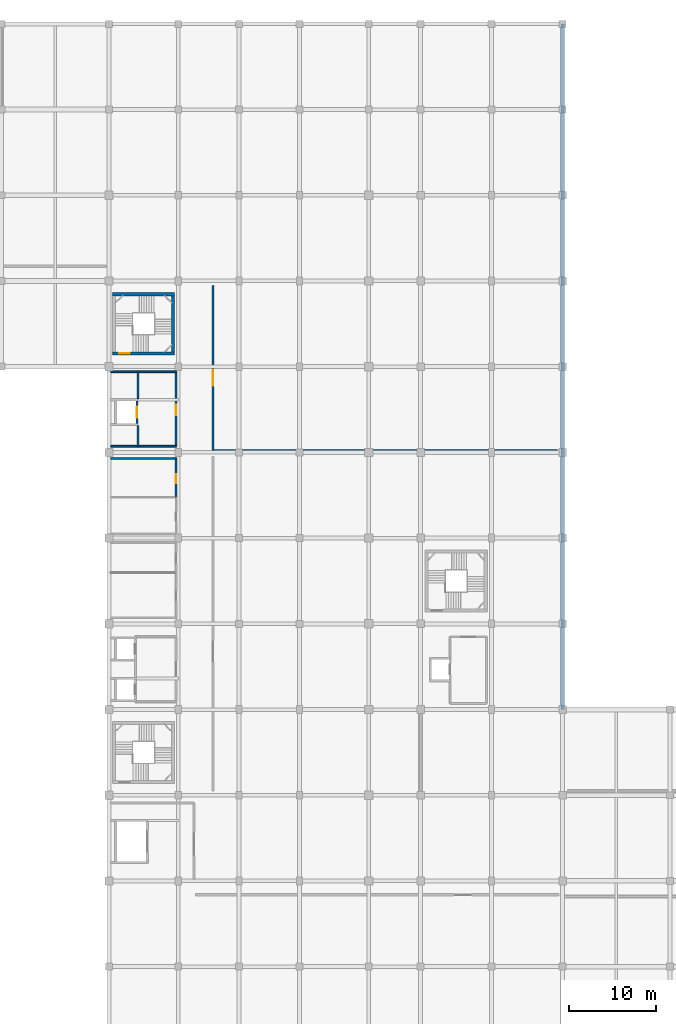
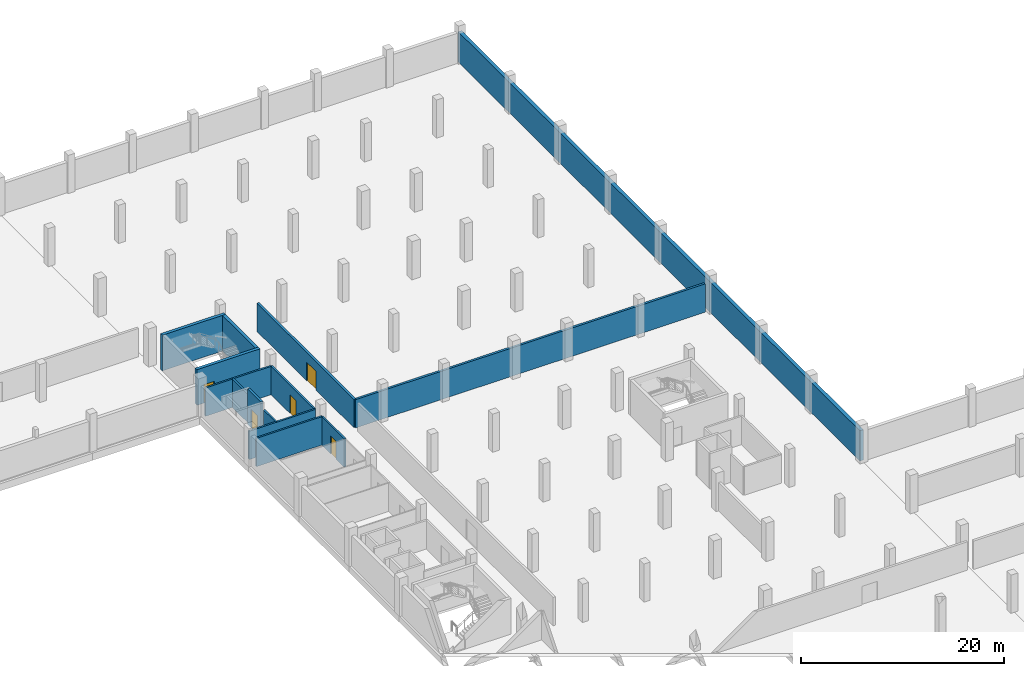
# One storey, part 14 of 32: 14 walls, 5 doors, 5 openings.
"""IFC4 building model written with IfcOpenShell, lengths in metres."""

from ifc_helpers import new_model, si_unit, direction, frame, frame_2d, origin, place, context, subcontext, project, spatial, rectangle, extrude, material, layer, layer_set, type_object, element, fill, save


model = new_model("IFC4")

# Units and contexts
model_context = context("Model", 3, precision=1e-05, world=origin(), true_north=direction((0.0, 1.0)))
body_context = subcontext(model_context, "Body", "Model", "MODEL_VIEW")
ifc_project = project(units=[si_unit("LENGTHUNIT", "METRE"), si_unit("AREAUNIT", "SQUARE_METRE"), si_unit("VOLUMEUNIT", "CUBIC_METRE"), si_unit("PLANEANGLEUNIT", "RADIAN"), si_unit("MASSUNIT", "GRAM", prefix="KILO")], contexts=[model_context])

# Site, building, storey
site_placement = place(None, origin())
site = spatial("IfcSite", under=ifc_project, at=site_placement, CompositionType="ELEMENT")
building_placement = place(site_placement, origin())
building = spatial("IfcBuilding", under=site, at=building_placement, Name="Sillaruma Civic Art Gallery", CompositionType="ELEMENT")
storey_placement = place(building_placement, frame((0.0, 0.0, -4.590087890625)))
storey = spatial("IfcBuildingStorey", under=building, at=storey_placement, Name="B01", CompositionType="ELEMENT", Elevation=-4.590087890625)

# Wall, opening, door
ifc_material_1 = material(Name="Concrete H40 (40 MPa)", Category="concrete")
ifc_layer_1 = layer(ifc_material_1, 0.35009765625, Name="Concrete H40 (40 MPa)")
ifc_layer_set_1 = layer_set([ifc_layer_1], Name="Concrete H40 (40 MPa)")
wall_type_1 = type_object("IfcWallType", Name="WAL-CORE-350", PredefinedType="SHEAR", material=ifc_layer_set_1)
wall_1_placement = place(storey_placement, frame((62.409912109375, 80.735107421875, 0.0), z_axis=(0.0, 0.0, 1.0), x_axis=(1.0, 0.0, 0.0)))
wall_1 = element("IfcWall", 1, at=wall_1_placement, inside=storey, type_object=wall_type_1, Name="Stair Core Shear Wall W-CORE-350 (ST-02:B01:S)", PredefinedType="SHEAR", context=body_context, shape_type="SweptSolid", body=[
    extrude(rectangle(XDim=7.18017578125, YDim=0.35009765625, at=frame_2d((3.590087890625, 0.0))), origin(), (0.0, 0.0, 1.0), 4.2900390625),
])
opening_1_placement = place(wall_1_placement, frame((0.77001953125, 0.0, 0.0)))
opening_1 = element("IfcOpeningElement", 2, at=opening_1_placement, cuts=wall_1, Name="Opening D-STAIR", PredefinedType="OPENING", context=body_context, shape_type="SweptSolid", body=[
    extrude(rectangle(XDim=1.199951171875, YDim=2.199951171875, at=frame_2d((0.60009765625, 1.10009765625))), frame((0.0, 0.18505859375, 0.0), z_axis=(0.0, -1.0, 0.0), x_axis=(1.0, 0.0, 0.0)), (0.0, 0.0, 1.0), 0.3701171875),
])
ifc_material_2 = material(Name="Galvanised Steel ASTM A653 Gr.50", Category="steel")
door_type_1 = type_object("IfcDoorType", Name="DOR-STAIR-120", OperationType="NOTDEFINED", PredefinedType="DOOR", material=ifc_material_2)
door_1_placement = place(opening_1_placement, origin())
door_1 = element("IfcDoor", 3, at=door_1_placement, inside=storey, type_object=door_type_1, Name="Protected Stair Fire Door (ST-02:B01)", OperationType="SINGLE_SWING_LEFT", OverallHeight=2.199951171875, OverallWidth=1.199951171875, PredefinedType="DOOR", context=body_context, shape_type="SweptSolid", body=[
    extrude(rectangle(XDim=1.199951171875, YDim=2.199951171875, at=frame_2d((0.60009765625, 1.10009765625))), frame((0.0, 0.02490234375, 0.0), z_axis=(0.0, -1.0, 0.0), x_axis=(1.0, 0.0, 0.0)), (0.0, 0.0, 1.0), 0.050048828125),
])
fill(opening_1, door_1)

# Walls
wall_2_placement = place(storey_placement, frame((62.409912109375, 87.56494140625, 0.0), z_axis=(0.0, 0.0, 1.0), x_axis=(1.0, 0.0, 0.0)))
element("IfcWall", 4, at=wall_2_placement, inside=storey, type_object=wall_type_1, Name="Stair Core Shear Wall W-CORE-350 (ST-02:B01:N)", PredefinedType="SHEAR", context=body_context, shape_type="SweptSolid", body=[
    extrude(rectangle(XDim=7.18017578125, YDim=0.35009765625, at=frame_2d((3.590087890625, 0.0))), origin(), (0.0, 0.0, 1.0), 4.2900390625),
])
wall_3_placement = place(storey_placement, frame((69.4150390625, 80.909912109375, 0.0), z_axis=(0.0, 0.0, 1.0), x_axis=(0.0, 1.0, 0.0)))
element("IfcWall", 5, at=wall_3_placement, inside=storey, type_object=wall_type_1, Name="Stair Core Shear Wall W-CORE-350 (ST-02:B01:E)", PredefinedType="SHEAR", context=body_context, shape_type="SweptSolid", body=[
    extrude(rectangle(XDim=6.47998046875, YDim=0.35009765625, at=frame_2d((3.239990234375, 0.0))), origin(), (0.0, 0.0, 1.0), 4.2900390625),
])
ifc_material_3 = material(Name="Concrete Masonry Unit Grade M15", Category="masonry")
ifc_layer_2 = layer(ifc_material_3, 0.199951171875, Name="Concrete Masonry Unit Grade M15")
ifc_layer_set_2 = layer_set([ifc_layer_2], Name="Concrete Masonry Unit Grade M15")
wall_type_2 = type_object("IfcWallType", Name="WAL-LOBBY-200", PredefinedType="SOLIDWALL", material=ifc_layer_set_2)
for number, where, z_axis, x_axis, name in (
    (6, (62.199951171875, 70.0, 0.0), (0.0, 0.0, 1.0), (1.0, 0.0, 0.0), "Interior Wall W-LOBBY-200 (B01-FFL)"),
    (7, (62.199951171875, 78.60009765625, 0.0), (0.0, 0.0, 1.0), (1.0, 0.0, 0.0), "Interior Wall W-LOBBY-200 (B01-FFL)"),
):
    element("IfcWall", number, at=place(storey_placement, frame(where, z_axis=z_axis, x_axis=x_axis)), inside=storey, type_object=wall_type_2, Name=name, PredefinedType="SOLIDWALL", context=body_context, shape_type="SweptSolid", body=[
        extrude(rectangle(XDim=7.550048828125, YDim=0.199951171875, at=frame_2d((3.77490234375, 0.0))), origin(), (0.0, 0.0, 1.0), 3.41015625),
    ])
wall_4_placement = place(storey_placement, frame((65.35009765625, 70.0, 0.0), z_axis=(0.0, 0.0, 1.0), x_axis=(0.0, 1.0, 0.0)))
element("IfcWall", 8, at=wall_4_placement, inside=storey, type_object=wall_type_2, Name="Interior Wall W-LOBBY-200 (B01-FFL)", PredefinedType="SOLIDWALL", context=body_context, shape_type="SweptSolid", body=[
    extrude(rectangle(XDim=2.39990234375, YDim=0.199951171875, at=frame_2d((1.199951171875, 0.0))), origin(), (0.0, 0.0, 1.0), 3.41015625),
])
wall_5_placement = place(storey_placement, frame((65.35009765625, 75.5, 0.0), z_axis=(0.0, 0.0, 1.0), x_axis=(0.0, 1.0, 0.0)))
element("IfcWall", 9, at=wall_5_placement, inside=storey, type_object=wall_type_2, Name="Interior Wall W-LOBBY-200 (B01-FFL)", PredefinedType="SOLIDWALL", context=body_context, shape_type="SweptSolid", body=[
    extrude(rectangle(XDim=3.10009765625, YDim=0.199951171875, at=frame_2d((1.550048828125, 0.0))), origin(), (0.0, 0.0, 1.0), 3.41015625),
])

# Wall, opening, door
wall_6_placement = place(storey_placement, frame((69.75, 70.0, 0.0), z_axis=(0.0, 0.0, 1.0), x_axis=(0.0, 1.0, 0.0)))
wall_6 = element("IfcWall", 10, at=wall_6_placement, inside=storey, type_object=wall_type_2, Name="Interior Wall W-LOBBY-200 (B01-FFL)", PredefinedType="SOLIDWALL", context=body_context, shape_type="SweptSolid", body=[
    extrude(rectangle(XDim=8.60009765625, YDim=0.199951171875, at=frame_2d((4.300048828125, 0.0))), origin(), (0.0, 0.0, 1.0), 3.41015625),
])
opening_2_placement = place(wall_6_placement, frame((3.60009765625, 0.0, 0.0)))
opening_2 = element("IfcOpeningElement", 11, at=opening_2_placement, cuts=wall_6, Name="Opening D-FFL", PredefinedType="OPENING", context=body_context, shape_type="SweptSolid", body=[
    extrude(rectangle(XDim=1.199951171875, YDim=2.25, at=frame_2d((0.60009765625, 1.125))), frame((0.0, 0.10986328125, 0.0), z_axis=(0.0, -1.0, 0.0), x_axis=(1.0, 0.0, 0.0)), (0.0, 0.0, 1.0), 0.219970703125),
])
door_type_2 = type_object("IfcDoorType", Name="DOR-FFL-120", OperationType="NOTDEFINED", PredefinedType="DOOR", material=ifc_material_2)
door_2_placement = place(opening_2_placement, origin())
door_2 = element("IfcDoor", 12, at=door_2_placement, inside=storey, type_object=door_type_2, Name="Firefighting Lobby Door (D-FFL)", OperationType="SINGLE_SWING_RIGHT", OverallHeight=2.25, OverallWidth=1.199951171875, PredefinedType="DOOR", context=body_context, shape_type="SweptSolid", body=[
    extrude(rectangle(XDim=1.199951171875, YDim=2.25, at=frame_2d((0.60009765625, 1.125))), frame((0.0, 0.02490234375, 0.0), z_axis=(0.0, -1.0, 0.0), x_axis=(1.0, 0.0, 0.0)), (0.0, 0.0, 1.0), 0.050048828125),
])
fill(opening_2, door_2)

# Wall
wall_7_placement = place(storey_placement, frame((62.199951171875, 68.60009765625, 0.0), z_axis=(0.0, 0.0, 1.0), x_axis=(1.0, 0.0, 0.0)))
element("IfcWall", 13, at=wall_7_placement, inside=storey, type_object=wall_type_2, Name="Interior Wall W-LOBBY-200 (B01-RSR)", PredefinedType="SOLIDWALL", context=body_context, shape_type="SweptSolid", body=[
    extrude(rectangle(XDim=7.550048828125, YDim=0.199951171875, at=frame_2d((3.77490234375, 0.0))), origin(), (0.0, 0.0, 1.0), 3.41015625),
])

# Wall, opening, door
wall_8_placement = place(storey_placement, frame((69.75, 64.10009765625, 0.0), z_axis=(0.0, 0.0, 1.0), x_axis=(0.0, 1.0, 0.0)))
wall_8 = element("IfcWall", 14, at=wall_8_placement, inside=storey, type_object=wall_type_2, Name="Interior Wall W-LOBBY-200 (B01-RSR)", PredefinedType="SOLIDWALL", context=body_context, shape_type="SweptSolid", body=[
    extrude(rectangle(XDim=4.5, YDim=0.199951171875, at=frame_2d((2.25, 0.0))), origin(), (0.0, 0.0, 1.0), 3.41015625),
])
opening_3_placement = place(wall_8_placement, frame((1.64990234375, 0.0, 0.0)))
opening_3 = element("IfcOpeningElement", 15, at=opening_3_placement, cuts=wall_8, Name="Opening D-RISER", PredefinedType="OPENING", context=body_context, shape_type="SweptSolid", body=[
    extrude(rectangle(XDim=1.0, YDim=2.14990234375, at=frame_2d((0.5, 1.074951171875))), frame((0.0, 0.10986328125, 0.0), z_axis=(0.0, -1.0, 0.0), x_axis=(1.0, 0.0, 0.0)), (0.0, 0.0, 1.0), 0.219970703125),
])
door_type_3 = type_object("IfcDoorType", Name="DOR-RISER-100", OperationType="NOTDEFINED", PredefinedType="DOOR", material=ifc_material_2)
door_3_placement = place(opening_3_placement, origin())
door_3 = element("IfcDoor", 16, at=door_3_placement, inside=storey, type_object=door_type_3, Name="MEP Service Riser Door (D-RISER)", OperationType="SINGLE_SWING_RIGHT", OverallHeight=2.14990234375, OverallWidth=1.0, PredefinedType="DOOR", context=body_context, shape_type="SweptSolid", body=[
    extrude(rectangle(XDim=1.0, YDim=2.14990234375, at=frame_2d((0.5, 1.074951171875))), frame((0.0, 0.02490234375, 0.0), z_axis=(0.0, -1.0, 0.0), x_axis=(1.0, 0.0, 0.0)), (0.0, 0.0, 1.0), 0.050048828125),
])
fill(opening_3, door_3)

# Wall
ifc_layer_3 = layer(ifc_material_1, 0.39990234375, Name="Concrete H40 (40 MPa)")
ifc_layer_set_3 = layer_set([ifc_layer_3], Name="Concrete H40 (40 MPa)")
wall_type_3 = type_object("IfcWallType", Name="WAL-RET-400", PredefinedType="USERDEFINED", material=ifc_layer_set_3)
wall_9_placement = place(storey_placement, frame((114.39990234375, 39.60009765625, 0.0), z_axis=(0.0, 0.0, 1.0), x_axis=(0.0, 1.0, 0.0)))
element("IfcWall", 17, at=wall_9_placement, inside=storey, type_object=wall_type_3, Name="Exterior Wall W-RET-400 (RET-B01-04)", ObjectType="RETAININGWALL", PredefinedType="USERDEFINED", context=body_context, shape_type="SweptSolid", body=[
    extrude(rectangle(XDim=79.199951171875, YDim=0.39990234375, at=frame_2d((39.60009765625, 0.0))), origin(), (0.0, 0.0, 1.0), 3.64013671875),
])

# Wall, opening, door
ifc_layer_4 = layer(ifc_material_1, 0.25, Name="Concrete H40 (40 MPa)")
ifc_layer_set_4 = layer_set([ifc_layer_4], Name="Concrete H40 (40 MPa)")
wall_type_4 = type_object("IfcWallType", Name="WAL-SHAFT-250", PredefinedType="SOLIDWALL", material=ifc_layer_set_4)
wall_10_placement = place(storey_placement, frame((65.22509765625, 72.64990234375, 0.0), z_axis=(0.0, 0.0, 1.0), x_axis=(0.0, 1.0, 0.0)))
wall_10 = element("IfcWall", 18, at=wall_10_placement, inside=storey, type_object=wall_type_4, Name="Lift Shaft Wall W-SHAFT-250 (FFL-01:B01:E)", PredefinedType="SOLIDWALL", context=body_context, shape_type="SweptSolid", body=[
    extrude(rectangle(XDim=2.60009765625, YDim=0.25, at=frame_2d((1.300048828125, 0.0))), origin(), (0.0, 0.0, 1.0), 4.27001953125),
])
opening_4_placement = place(wall_10_placement, frame((0.675048828125, 0.0, 0.0)))
opening_4 = element("IfcOpeningElement", 19, at=opening_4_placement, cuts=wall_10, Name="Opening LD-02", PredefinedType="OPENING", context=body_context, shape_type="SweptSolid", body=[
    extrude(rectangle(XDim=1.25, YDim=2.199951171875, at=frame_2d((0.625, 1.10009765625))), frame((0.0, 0.135009765625, 0.0), z_axis=(0.0, -1.0, 0.0), x_axis=(1.0, 0.0, 0.0)), (0.0, 0.0, 1.0), 0.27001953125),
])
door_type_4 = type_object("IfcDoorType", Name="DOR-LD-02", OperationType="NOTDEFINED", PredefinedType="DOOR", material=ifc_material_2)
door_4_placement = place(opening_4_placement, origin())
door_4 = element("IfcDoor", 20, at=door_4_placement, inside=storey, type_object=door_type_4, Name="Lift Sliding Landing Door LD-02 (FFL-01:B01)", OperationType="DOUBLE_DOOR_SLIDING", OverallHeight=2.199951171875, OverallWidth=1.25, PredefinedType="DOOR", context=body_context, shape_type="SweptSolid", body=[
    extrude(rectangle(XDim=1.25, YDim=2.199951171875, at=frame_2d((0.625, 1.10009765625))), frame((0.0, 0.02490234375, 0.0), z_axis=(0.0, -1.0, 0.0), x_axis=(1.0, 0.0, 0.0)), (0.0, 0.0, 1.0), 0.050048828125),
])
fill(opening_4, door_4)

# Wall
ifc_layer_5 = layer(ifc_material_3, 0.2548828125, Name="Concrete Masonry Unit Grade M15")
ifc_layer_set_5 = layer_set([ifc_layer_5], Name="Concrete Masonry Unit Grade M15")
wall_type_5 = type_object("IfcWallType", Name="WAL-STORE-250", PredefinedType="SOLIDWALL", material=ifc_layer_set_5)
wall_11_placement = place(storey_placement, frame((74.0, 69.5, 0.0), z_axis=(0.0, 0.0, 1.0), x_axis=(1.0, 0.0, 0.0)))
element("IfcWall", 21, at=wall_11_placement, inside=storey, type_object=wall_type_5, Name="Interior Wall W-STORE-250 (B01-PLTC)", PredefinedType="SOLIDWALL", context=body_context, shape_type="SweptSolid", body=[
    extrude(rectangle(XDim=39.800048828125, YDim=0.2548828125, at=frame_2d((19.89990234375, 0.0))), origin(), (0.0, 0.0, 1.0), 3.41015625),
])

# Wall, opening, door
wall_12_placement = place(storey_placement, frame((74.0, 69.5, 0.0), z_axis=(0.0, 0.0, 1.0), x_axis=(0.0, 1.0, 0.0)))
wall_12 = element("IfcWall", 22, at=wall_12_placement, inside=storey, type_object=wall_type_5, Name="Interior Wall W-STORE-250 (B01-PLTC)", PredefinedType="SOLIDWALL", context=body_context, shape_type="SweptSolid", body=[
    extrude(rectangle(XDim=19.10009765625, YDim=0.2548828125, at=frame_2d((9.550048828125, 0.0))), origin(), (0.0, 0.0, 1.0), 3.41015625),
])
opening_5_placement = place(wall_12_placement, frame((7.5, 0.0, 0.0)))
opening_5 = element("IfcOpeningElement", 23, at=opening_5_placement, cuts=wall_12, Name="Opening D-PLANT", PredefinedType="OPENING", context=body_context, shape_type="SweptSolid", body=[
    extrude(rectangle(XDim=1.800048828125, YDim=2.25, at=frame_2d((0.89990234375, 1.125))), frame((0.0, 0.137451171875, 0.0), z_axis=(0.0, -1.0, 0.0), x_axis=(1.0, 0.0, 0.0)), (0.0, 0.0, 1.0), 0.27490234375),
])
door_type_5 = type_object("IfcDoorType", Name="DOR-PLANT-180", OperationType="NOTDEFINED", PredefinedType="DOOR", material=ifc_material_2)
door_5_placement = place(opening_5_placement, origin())
door_5 = element("IfcDoor", 24, at=door_5_placement, inside=storey, type_object=door_type_5, Name="Close-Control AHU Plant Room Door (D-PLANT)", OperationType="DOUBLE_DOOR_SINGLE_SWING", OverallHeight=2.25, OverallWidth=1.800048828125, PredefinedType="DOOR", context=body_context, shape_type="SweptSolid", body=[
    extrude(rectangle(XDim=1.800048828125, YDim=2.25, at=frame_2d((0.89990234375, 1.125))), frame((0.0, 0.02490234375, 0.0), z_axis=(0.0, -1.0, 0.0), x_axis=(1.0, 0.0, 0.0)), (0.0, 0.0, 1.0), 0.050048828125),
])
fill(opening_5, door_5)

save(model, "model.ifc")
